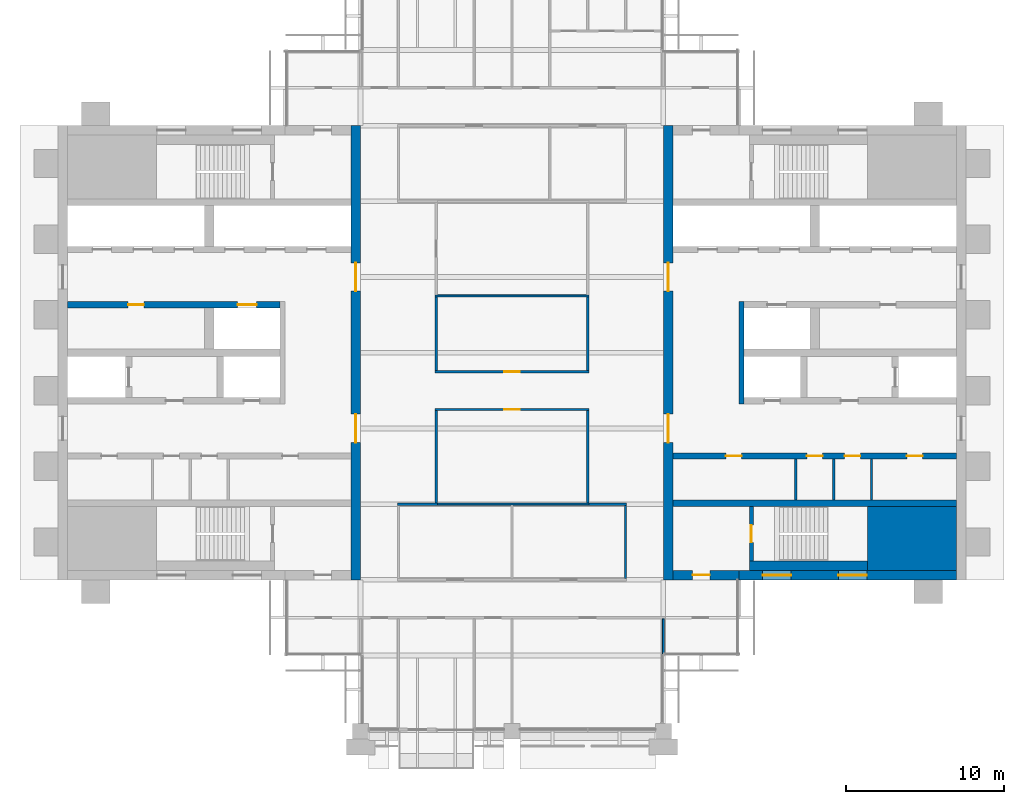
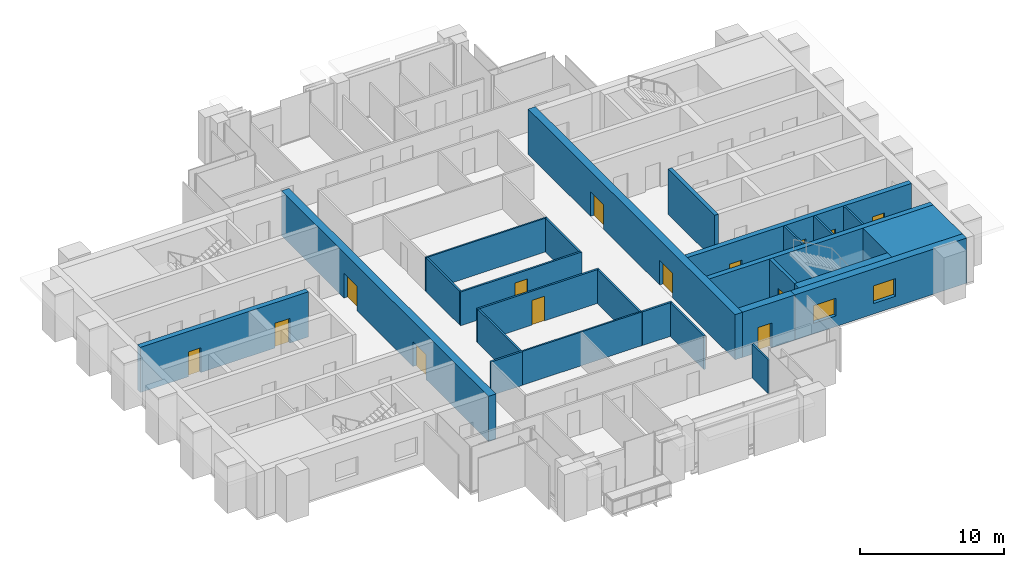
# One storey, part 9 of 13: 26 walls, 14 doors, 2 windows, 16 openings.
"""IFC4 building model written with IfcOpenShell, lengths in metres."""

from ifc_helpers import new_model, si_unit, direction, frame, frame_2d, origin, place, context, subcontext, project, spatial, rectangle, extrude, material, layer, layer_set, type_object, element, fill, save


model = new_model("IFC4")

# Units and contexts
model_context = context("Model", 3, precision=1e-05, world=origin(), true_north=direction((0.0, 1.0)))
body_context = subcontext(model_context, "Body", "Model", "MODEL_VIEW")
ifc_project = project(units=[si_unit("LENGTHUNIT", "METRE"), si_unit("AREAUNIT", "SQUARE_METRE"), si_unit("VOLUMEUNIT", "CUBIC_METRE"), si_unit("PLANEANGLEUNIT", "RADIAN"), si_unit("MASSUNIT", "GRAM", prefix="KILO")], contexts=[model_context])

# Site, building, storey
site_placement = place(None, origin())
site = spatial("IfcSite", under=ifc_project, at=site_placement, CompositionType="ELEMENT")
building_placement = place(site_placement, origin())
building = spatial("IfcBuilding", under=site, at=building_placement, Name="Baori Bourse Tower", CompositionType="ELEMENT")
storey_placement = place(building_placement, frame((0.0, 0.0, 314.300048828125)))
storey = spatial("IfcBuildingStorey", under=building, at=storey_placement, Name="L69", CompositionType="ELEMENT", Elevation=314.300048828125)

# Walls
ifc_material_1 = material(Name="Concrete f'c 40 MPa", Category="concrete")
wall_type_1 = type_object("IfcWallType", Name="Core corner block f'c 40", PredefinedType="SHEAR", material=ifc_material_1)
wall_1_placement = place(storey_placement, frame((51.35009765625, 12.22509765625, 0.0), z_axis=(0.0, 0.0, 1.0), x_axis=(1.0, 0.0, 0.0)))
element("IfcWall", 1, at=wall_1_placement, inside=storey, type_object=wall_type_1, Name="Core wall E05", PredefinedType="SHEAR", context=body_context, shape_type="SweptSolid", body=[
    extrude(rectangle(XDim=5.64990234375, YDim=4.050048828125, at=frame_2d((2.824951171875, 0.0))), origin(), (0.0, 0.0, 1.0), 3.83984375),
])
ifc_material_2 = material(Name="Blockwork partition", Category="masonry")
ifc_layer_1 = layer(ifc_material_2, 0.14990234375)
ifc_layer_set_1 = layer_set([ifc_layer_1], Name="Core partition 150")
wall_type_2 = type_object("IfcWallType", Name="Core partition 150", PredefinedType="PARTITIONING", material=ifc_layer_set_1)
for number, where, z_axis, x_axis, name in (
    (2, (51.60009765625, 14.64990234375, 0.0), (0.0, 0.0, 1.0), (0.0, 1.0, 0.0), "Partition wall E09"),
    (3, (49.199951171875, 14.64990234375, 0.0), (0.0, 0.0, 1.0), (0.0, 1.0, 0.0), "Partition wall E10"),
    (4, (46.800048828125, 14.64990234375, 0.0), (0.0, 0.0, 1.0), (0.0, 1.0, 0.0), "Partition wall E11"),
):
    element("IfcWall", number, at=place(storey_placement, frame(where, z_axis=z_axis, x_axis=x_axis)), inside=storey, type_object=wall_type_2, Name=name, PredefinedType="PARTITIONING", context=body_context, shape_type="SweptSolid", body=[
        extrude(rectangle(XDim=2.60009765625, YDim=0.14990234375, at=frame_2d((1.300048828125, 0.0))), origin(), (0.0, 0.0, 1.0), 3.83984375),
    ])

# Wall, openings, doors
ifc_material_3 = material(Name="Concrete f'c 40 MPa", Category="concrete")
ifc_layer_2 = layer(ifc_material_3, 0.60009765625)
ifc_layer_set_2 = layer_set([ifc_layer_2], Name="Core wall 600 f'c 40")
wall_type_3 = type_object("IfcWallType", Name="Core wall 600 f'c 40", PredefinedType="SHEAR", material=ifc_layer_set_2)
wall_2_placement = place(storey_placement, frame((18.89990234375, 38.39990234375, 0.0), z_axis=(0.0, 0.0, 1.0), x_axis=(0.0, -1.0, 0.0)))
wall_2 = element("IfcWall", 5, at=wall_2_placement, inside=storey, type_object=wall_type_3, Name="Core wall W04", PredefinedType="SHEAR", context=body_context, shape_type="SweptSolid", body=[
    extrude(rectangle(XDim=28.7998046875, YDim=0.60009765625, at=frame_2d((14.39990234375, 0.0))), origin(), (0.0, 0.0, 1.0), 3.83984375),
])
opening_1_placement = place(wall_2_placement, frame((18.300048828125, 0.0, 0.0)))
opening_1 = element("IfcOpeningElement", 6, at=opening_1_placement, cuts=wall_2, Name="Opening L69-D107", PredefinedType="OPENING", context=body_context, shape_type="SweptSolid", body=[
    extrude(rectangle(XDim=1.800048828125, YDim=2.10009765625, at=frame_2d((0.89990234375, 1.050048828125))), frame((0.0, 0.31005859375, 0.0), z_axis=(0.0, -1.0, 0.0), x_axis=(1.0, 0.0, 0.0)), (0.0, 0.0, 1.0), 0.6201171875),
])
opening_2_placement = place(wall_2_placement, frame((8.699951171875, 0.0, 0.0)))
opening_2 = element("IfcOpeningElement", 7, at=opening_2_placement, cuts=wall_2, Name="Opening L69-D108", PredefinedType="OPENING", context=body_context, shape_type="SweptSolid", body=[
    extrude(rectangle(XDim=1.800048828125, YDim=2.10009765625, at=frame_2d((0.89990234375, 1.050048828125))), frame((0.0, 0.31005859375, 0.0), z_axis=(0.0, -1.0, 0.0), x_axis=(1.0, 0.0, 0.0)), (0.0, 0.0, 1.0), 0.6201171875),
])
ifc_material_4 = material(Name="Painted steel door", Category="steel")
door_type_1 = type_object("IfcDoorType", Name="Core lobby door 1800", OperationType="DOUBLE_DOOR_SINGLE_SWING", PredefinedType="DOOR", material=ifc_material_4)
door_1_placement = place(opening_1_placement, origin())
door_1 = element("IfcDoor", 8, at=door_1_placement, inside=storey, type_object=door_type_1, Name="Lobby door W L69", OperationType="DOUBLE_DOOR_SINGLE_SWING", OverallHeight=2.10009765625, OverallWidth=1.800048828125, PredefinedType="DOOR", context=body_context, shape_type="SweptSolid", body=[
    extrude(rectangle(XDim=1.800048828125, YDim=2.10009765625, at=frame_2d((0.89990234375, 1.050048828125))), frame((0.0, 0.02490234375, 0.0), z_axis=(0.0, -1.0, 0.0), x_axis=(1.0, 0.0, 0.0)), (0.0, 0.0, 1.0), 0.050048828125),
])
fill(opening_1, door_1)
door_2_placement = place(opening_2_placement, origin())
door_2 = element("IfcDoor", 9, at=door_2_placement, inside=storey, type_object=door_type_1, Name="Lobby door W L69", OperationType="DOUBLE_DOOR_SINGLE_SWING", OverallHeight=2.10009765625, OverallWidth=1.800048828125, PredefinedType="DOOR", context=body_context, shape_type="SweptSolid", body=[
    extrude(rectangle(XDim=1.800048828125, YDim=2.10009765625, at=frame_2d((0.89990234375, 1.050048828125))), frame((0.0, 0.02490234375, 0.0), z_axis=(0.0, -1.0, 0.0), x_axis=(1.0, 0.0, 0.0)), (0.0, 0.0, 1.0), 0.050048828125),
])
fill(opening_2, door_2)

# Wall, openings, windows
wall_3_placement = place(storey_placement, frame((57.0, 9.89990234375, 0.0), z_axis=(0.0, 0.0, 1.0), x_axis=(-1.0, 0.0, 0.0)))
wall_3 = element("IfcWall", 10, at=wall_3_placement, inside=storey, type_object=wall_type_3, Name="Core wall E02", PredefinedType="SHEAR", context=body_context, shape_type="SweptSolid", body=[
    extrude(rectangle(XDim=13.800048828125, YDim=0.60009765625, at=frame_2d((6.89990234375, 0.0))), origin(), (0.0, 0.0, 1.0), 3.83984375),
])
opening_3_placement = place(wall_3_placement, frame((5.699951171875, 0.0, 0.89990234375)))
opening_3 = element("IfcOpeningElement", 11, at=opening_3_placement, cuts=wall_3, Name="Opening L69-KW203", PredefinedType="OPENING", context=body_context, shape_type="SweptSolid", body=[
    extrude(rectangle(XDim=1.800048828125, YDim=1.5, at=frame_2d((0.89990234375, 0.75))), frame((0.0, 0.31005859375, 0.0), z_axis=(0.0, -1.0, 0.0), x_axis=(1.0, 0.0, 0.0)), (0.0, 0.0, 1.0), 0.6201171875),
])
opening_4_placement = place(wall_3_placement, frame((10.5, 0.0, 0.89990234375)))
opening_4 = element("IfcOpeningElement", 12, at=opening_4_placement, cuts=wall_3, Name="Opening L69-KW204", PredefinedType="OPENING", context=body_context, shape_type="SweptSolid", body=[
    extrude(rectangle(XDim=1.800048828125, YDim=1.5, at=frame_2d((0.89990234375, 0.75))), frame((0.0, 0.31005859375, 0.0), z_axis=(0.0, -1.0, 0.0), x_axis=(1.0, 0.0, 0.0)), (0.0, 0.0, 1.0), 0.6201171875),
])
ifc_material_5 = material(Name="Pale anodised aluminium", Category="aluminium")
window_type = type_object("IfcWindowType", Name="Stair window 1800 x 1500", PartitioningType="SINGLE_PANEL", PredefinedType="WINDOW", material=ifc_material_5)
window_1_placement = place(opening_3_placement, origin())
window_1 = element("IfcWindow", 13, at=window_1_placement, inside=storey, type_object=window_type, Name="Stair window E L69 3", OverallHeight=1.5, OverallWidth=1.800048828125, PartitioningType="SINGLE_PANEL", PredefinedType="WINDOW", context=body_context, shape_type="SweptSolid", body=[
    extrude(rectangle(XDim=1.800048828125, YDim=1.5, at=frame_2d((0.89990234375, 0.75))), frame((0.0, 0.030029296875, 0.0), z_axis=(0.0, -1.0, 0.0), x_axis=(1.0, 0.0, 0.0)), (0.0, 0.0, 1.0), 0.06005859375),
])
fill(opening_3, window_1)
window_2_placement = place(opening_4_placement, origin())
window_2 = element("IfcWindow", 14, at=window_2_placement, inside=storey, type_object=window_type, Name="Stair window E L69 4", OverallHeight=1.5, OverallWidth=1.800048828125, PartitioningType="SINGLE_PANEL", PredefinedType="WINDOW", context=body_context, shape_type="SweptSolid", body=[
    extrude(rectangle(XDim=1.800048828125, YDim=1.5, at=frame_2d((0.89990234375, 0.75))), frame((0.0, 0.030029296875, 0.0), z_axis=(0.0, -1.0, 0.0), x_axis=(1.0, 0.0, 0.0)), (0.0, 0.0, 1.0), 0.06005859375),
])
fill(opening_4, window_2)

# Wall, opening, door
wall_4_placement = place(storey_placement, frame((43.199951171875, 9.89990234375, 0.0), z_axis=(0.0, 0.0, 1.0), x_axis=(-1.0, 0.0, 0.0)))
wall_4 = element("IfcWall", 15, at=wall_4_placement, inside=storey, type_object=wall_type_3, Name="Core wall E03", PredefinedType="SHEAR", context=body_context, shape_type="SweptSolid", body=[
    extrude(rectangle(XDim=4.199951171875, YDim=0.60009765625, at=frame_2d((2.10009765625, 0.0))), origin(), (0.0, 0.0, 1.0), 3.83984375),
])
opening_5_placement = place(wall_4_placement, frame((1.85009765625, 0.0, 0.0)))
opening_5 = element("IfcOpeningElement", 16, at=opening_5_placement, cuts=wall_4, Name="Opening L69-D202", PredefinedType="OPENING", context=body_context, shape_type="SweptSolid", body=[
    extrude(rectangle(XDim=1.10009765625, YDim=2.10009765625, at=frame_2d((0.550048828125, 1.050048828125))), frame((0.0, 0.31005859375, 0.0), z_axis=(0.0, -1.0, 0.0), x_axis=(1.0, 0.0, 0.0)), (0.0, 0.0, 1.0), 0.6201171875),
])
ifc_material_6 = material(Name="Painted steel door", Category="steel")
door_type_2 = type_object("IfcDoorType", Name="Stair door 1100", OperationType="SINGLE_SWING_LEFT", PredefinedType="DOOR", material=ifc_material_6)
door_3_placement = place(opening_5_placement, origin())
door_3 = element("IfcDoor", 17, at=door_3_placement, inside=storey, type_object=door_type_2, Name="Stair vestibule door A E L69", OperationType="SINGLE_SWING_LEFT", OverallHeight=2.10009765625, OverallWidth=1.10009765625, PredefinedType="DOOR", context=body_context, shape_type="SweptSolid", body=[
    extrude(rectangle(XDim=1.10009765625, YDim=2.10009765625, at=frame_2d((0.550048828125, 1.050048828125))), frame((0.0, 0.02490234375, 0.0), z_axis=(0.0, -1.0, 0.0), x_axis=(1.0, 0.0, 0.0)), (0.0, 0.0, 1.0), 0.050048828125),
])
fill(opening_5, door_3)

# Wall, openings, doors
wall_5_placement = place(storey_placement, frame((38.699951171875, 9.60009765625, 0.0), z_axis=(0.0, 0.0, 1.0), x_axis=(0.0, 1.0, 0.0)))
wall_5 = element("IfcWall", 18, at=wall_5_placement, inside=storey, type_object=wall_type_3, Name="Core wall E04", PredefinedType="SHEAR", context=body_context, shape_type="SweptSolid", body=[
    extrude(rectangle(XDim=28.7998046875, YDim=0.60009765625, at=frame_2d((14.39990234375, 0.0))), origin(), (0.0, 0.0, 1.0), 3.83984375),
])
opening_6_placement = place(wall_5_placement, frame((8.699951171875, 0.0, 0.0)))
opening_6 = element("IfcOpeningElement", 19, at=opening_6_placement, cuts=wall_5, Name="Opening L69-D207", PredefinedType="OPENING", context=body_context, shape_type="SweptSolid", body=[
    extrude(rectangle(XDim=1.800048828125, YDim=2.10009765625, at=frame_2d((0.89990234375, 1.050048828125))), frame((0.0, 0.31005859375, 0.0), z_axis=(0.0, -1.0, 0.0), x_axis=(1.0, 0.0, 0.0)), (0.0, 0.0, 1.0), 0.6201171875),
])
opening_7_placement = place(wall_5_placement, frame((18.300048828125, 0.0, 0.0)))
opening_7 = element("IfcOpeningElement", 20, at=opening_7_placement, cuts=wall_5, Name="Opening L69-D208", PredefinedType="OPENING", context=body_context, shape_type="SweptSolid", body=[
    extrude(rectangle(XDim=1.800048828125, YDim=2.10009765625, at=frame_2d((0.89990234375, 1.050048828125))), frame((0.0, 0.31005859375, 0.0), z_axis=(0.0, -1.0, 0.0), x_axis=(1.0, 0.0, 0.0)), (0.0, 0.0, 1.0), 0.6201171875),
])
door_4_placement = place(opening_6_placement, origin())
door_4 = element("IfcDoor", 21, at=door_4_placement, inside=storey, type_object=door_type_1, Name="Lobby door E L69", OperationType="DOUBLE_DOOR_SINGLE_SWING", OverallHeight=2.10009765625, OverallWidth=1.800048828125, PredefinedType="DOOR", context=body_context, shape_type="SweptSolid", body=[
    extrude(rectangle(XDim=1.800048828125, YDim=2.10009765625, at=frame_2d((0.89990234375, 1.050048828125))), frame((0.0, 0.02490234375, 0.0), z_axis=(0.0, -1.0, 0.0), x_axis=(1.0, 0.0, 0.0)), (0.0, 0.0, 1.0), 0.050048828125),
])
fill(opening_6, door_4)
door_5_placement = place(opening_7_placement, origin())
door_5 = element("IfcDoor", 22, at=door_5_placement, inside=storey, type_object=door_type_1, Name="Lobby door E L69", OperationType="DOUBLE_DOOR_SINGLE_SWING", OverallHeight=2.10009765625, OverallWidth=1.800048828125, PredefinedType="DOOR", context=body_context, shape_type="SweptSolid", body=[
    extrude(rectangle(XDim=1.800048828125, YDim=2.10009765625, at=frame_2d((0.89990234375, 1.050048828125))), frame((0.0, 0.02490234375, 0.0), z_axis=(0.0, -1.0, 0.0), x_axis=(1.0, 0.0, 0.0)), (0.0, 0.0, 1.0), 0.050048828125),
])
fill(opening_7, door_5)

# Walls
ifc_material_7 = material(Name="Gypsum board partition")
ifc_layer_3 = layer(ifc_material_7, 0.14990234375)
ifc_layer_set_3 = layer_set([ifc_layer_3], Name="Corridor partition 150")
wall_type_4 = type_object("IfcWallType", Name="Corridor partition 150", PredefinedType="PARTITIONING", material=ifc_layer_set_3)
wall_6_placement = place(storey_placement, frame((21.52490234375, 14.39990234375, 0.0), z_axis=(0.0, 0.0, 1.0), x_axis=(1.0, 0.0, 0.0)))
element("IfcWall", 23, at=wall_6_placement, inside=storey, type_object=wall_type_4, Name="Partition", PredefinedType="PARTITIONING", context=body_context, shape_type="SweptSolid", body=[
    extrude(rectangle(XDim=2.550048828125, YDim=0.14990234375, at=frame_2d((1.27490234375, 0.0))), origin(), (0.0, 0.0, 1.0), 2.86962890625),
])
wall_7_placement = place(storey_placement, frame((33.675048828125, 14.39990234375, 0.0), z_axis=(0.0, 0.0, 1.0), x_axis=(1.0, 0.0, 0.0)))
element("IfcWall", 24, at=wall_7_placement, inside=storey, type_object=wall_type_4, Name="Partition", PredefinedType="PARTITIONING", context=body_context, shape_type="SweptSolid", body=[
    extrude(rectangle(XDim=2.39990234375, YDim=0.14990234375, at=frame_2d((1.199951171875, 0.0))), origin(), (0.0, 0.0, 1.0), 2.86962890625),
])

# Wall, opening, door
wall_8_placement = place(storey_placement, frame((23.925048828125, 20.39990234375, 0.0), z_axis=(0.0, 0.0, 1.0), x_axis=(1.0, 0.0, 0.0)))
wall_8 = element("IfcWall", 25, at=wall_8_placement, inside=storey, type_object=wall_type_4, Name="Partition", PredefinedType="PARTITIONING", context=body_context, shape_type="SweptSolid", body=[
    extrude(rectangle(XDim=9.75, YDim=0.14990234375, at=frame_2d((4.875, 0.0))), origin(), (0.0, 0.0, 1.0), 2.86962890625),
])
opening_8_placement = place(wall_8_placement, frame((4.375, 0.0, 0.0)))
opening_8 = element("IfcOpeningElement", 26, at=opening_8_placement, cuts=wall_8, Name="Opening L69-D09", PredefinedType="OPENING", context=body_context, shape_type="SweptSolid", body=[
    extrude(rectangle(XDim=1.0, YDim=2.10009765625, at=frame_2d((0.5, 1.050048828125))), frame((0.0, 0.0849609375, 0.0), z_axis=(0.0, -1.0, 0.0), x_axis=(1.0, 0.0, 0.0)), (0.0, 0.0, 1.0), 0.169921875),
])
ifc_material_8 = material(Name="Timber door leaf", Category="wood")
door_type_3 = type_object("IfcDoorType", Name="Door 1000 x 2100", OperationType="SINGLE_SWING_LEFT", PredefinedType="DOOR", material=ifc_material_8)
door_6_placement = place(opening_8_placement, origin())
door_6 = element("IfcDoor", 27, at=door_6_placement, inside=storey, type_object=door_type_3, Name="Door", OperationType="SINGLE_SWING_RIGHT", OverallHeight=2.10009765625, OverallWidth=1.0, PredefinedType="DOOR", context=body_context, shape_type="SweptSolid", body=[
    extrude(rectangle(XDim=1.0, YDim=2.10009765625, at=frame_2d((0.5, 1.050048828125))), frame((0.0, 0.02490234375, 0.0), z_axis=(0.0, -1.0, 0.0), x_axis=(1.0, 0.0, 0.0)), (0.0, 0.0, 1.0), 0.050048828125),
])
fill(opening_8, door_6)

wall_9_placement = place(storey_placement, frame((23.925048828125, 22.800048828125, 0.0), z_axis=(0.0, 0.0, 1.0), x_axis=(1.0, 0.0, 0.0)))
wall_9 = element("IfcWall", 28, at=wall_9_placement, inside=storey, type_object=wall_type_4, Name="Partition", PredefinedType="PARTITIONING", context=body_context, shape_type="SweptSolid", body=[
    extrude(rectangle(XDim=9.75, YDim=0.14990234375, at=frame_2d((4.875, 0.0))), origin(), (0.0, 0.0, 1.0), 2.86962890625),
])
opening_9_placement = place(wall_9_placement, frame((4.375, 0.0, 0.0)))
opening_9 = element("IfcOpeningElement", 29, at=opening_9_placement, cuts=wall_9, Name="Opening L69-D10", PredefinedType="OPENING", context=body_context, shape_type="SweptSolid", body=[
    extrude(rectangle(XDim=1.0, YDim=2.10009765625, at=frame_2d((0.5, 1.050048828125))), frame((0.0, 0.0849609375, 0.0), z_axis=(0.0, -1.0, 0.0), x_axis=(1.0, 0.0, 0.0)), (0.0, 0.0, 1.0), 0.169921875),
])
door_7_placement = place(opening_9_placement, origin())
door_7 = element("IfcDoor", 30, at=door_7_placement, inside=storey, type_object=door_type_3, Name="Door", OperationType="SINGLE_SWING_LEFT", OverallHeight=2.10009765625, OverallWidth=1.0, PredefinedType="DOOR", context=body_context, shape_type="SweptSolid", body=[
    extrude(rectangle(XDim=1.0, YDim=2.10009765625, at=frame_2d((0.5, 1.050048828125))), frame((0.0, 0.02490234375, 0.0), z_axis=(0.0, -1.0, 0.0), x_axis=(1.0, 0.0, 0.0)), (0.0, 0.0, 1.0), 0.050048828125),
])
fill(opening_9, door_7)

# Walls
wall_10_placement = place(storey_placement, frame((24.0, 14.47509765625, 0.0), z_axis=(0.0, 0.0, 1.0), x_axis=(0.0, 1.0, 0.0)))
element("IfcWall", 31, at=wall_10_placement, inside=storey, type_object=wall_type_4, Name="Partition", PredefinedType="PARTITIONING", context=body_context, shape_type="SweptSolid", body=[
    extrude(rectangle(XDim=5.849853515625, YDim=0.14990234375, at=frame_2d((2.9248046875, 0.0))), origin(), (0.0, 0.0, 1.0), 2.86962890625),
])
wall_11_placement = place(storey_placement, frame((24.0, 22.875, 0.0), z_axis=(0.0, 0.0, 1.0), x_axis=(0.0, 1.0, 0.0)))
element("IfcWall", 32, at=wall_11_placement, inside=storey, type_object=wall_type_4, Name="Partition", PredefinedType="PARTITIONING", context=body_context, shape_type="SweptSolid", body=[
    extrude(rectangle(XDim=4.66259765625, YDim=0.14990234375, at=frame_2d((2.331298828125, 0.0))), origin(), (0.0, 0.0, 1.0), 2.86962890625),
])
wall_12_placement = place(storey_placement, frame((33.60009765625, 14.47509765625, 0.0), z_axis=(0.0, 0.0, 1.0), x_axis=(0.0, 1.0, 0.0)))
element("IfcWall", 33, at=wall_12_placement, inside=storey, type_object=wall_type_4, Name="Partition", PredefinedType="PARTITIONING", context=body_context, shape_type="SweptSolid", body=[
    extrude(rectangle(XDim=5.849853515625, YDim=0.14990234375, at=frame_2d((2.9248046875, 0.0))), origin(), (0.0, 0.0, 1.0), 2.86962890625),
])
wall_13_placement = place(storey_placement, frame((33.60009765625, 22.875, 0.0), z_axis=(0.0, 0.0, 1.0), x_axis=(0.0, 1.0, 0.0)))
element("IfcWall", 34, at=wall_13_placement, inside=storey, type_object=wall_type_4, Name="Partition", PredefinedType="PARTITIONING", context=body_context, shape_type="SweptSolid", body=[
    extrude(rectangle(XDim=4.66259765625, YDim=0.14990234375, at=frame_2d((2.331298828125, 0.0))), origin(), (0.0, 0.0, 1.0), 2.86962890625),
])
wall_14_placement = place(storey_placement, frame((36.0, 9.675048828125, 0.0), z_axis=(0.0, 0.0, 1.0), x_axis=(0.0, 1.0, 0.0)))
element("IfcWall", 35, at=wall_14_placement, inside=storey, type_object=wall_type_4, Name="Partition", PredefinedType="PARTITIONING", context=body_context, shape_type="SweptSolid", body=[
    extrude(rectangle(XDim=4.64990234375, YDim=0.14990234375, at=frame_2d((2.324951171875, 0.0))), origin(), (0.0, 0.0, 1.0), 2.86962890625),
])
ifc_material_9 = material(Name="Gypsum board partition")
ifc_layer_4 = layer(ifc_material_9, 0.125)
ifc_layer_set_4 = layer_set([ifc_layer_4], Name="Partition 125")
wall_type_5 = type_object("IfcWallType", Name="Partition 125", PredefinedType="PARTITIONING", material=ifc_layer_set_4)
wall_15_placement = place(storey_placement, frame((24.074951171875, 14.39990234375, 0.0), z_axis=(0.0, 0.0, 1.0), x_axis=(1.0, 0.0, 0.0)))
element("IfcWall", 36, at=wall_15_placement, inside=storey, type_object=wall_type_5, Name="Partition", PredefinedType="PARTITIONING", context=body_context, shape_type="SweptSolid", body=[
    extrude(rectangle(XDim=9.60009765625, YDim=0.125, at=frame_2d((4.800048828125, 0.0))), origin(), (0.0, 0.0, 1.0), 2.86962890625),
])
wall_16_placement = place(storey_placement, frame((23.925048828125, 27.60009765625, 0.0), z_axis=(0.0, 0.0, 1.0), x_axis=(1.0, 0.0, 0.0)))
element("IfcWall", 37, at=wall_16_placement, inside=storey, type_object=wall_type_5, Name="Partition", PredefinedType="PARTITIONING", context=body_context, shape_type="SweptSolid", body=[
    extrude(rectangle(XDim=9.75, YDim=0.125, at=frame_2d((4.875, 0.0))), origin(), (0.0, 0.0, 1.0), 2.86962890625),
])
wall_17_placement = place(storey_placement, frame((38.39990234375, 4.89990234375, 0.0), z_axis=(0.0, 0.0, 1.0), x_axis=(0.0, 1.0, 0.0)))
element("IfcWall", 38, at=wall_17_placement, inside=storey, type_object=wall_type_5, Name="Partition", PredefinedType="PARTITIONING", context=body_context, shape_type="SweptSolid", body=[
    extrude(rectangle(XDim=2.22509765625, YDim=0.125, at=frame_2d((1.112548828125, 0.0))), origin(), (0.0, 0.0, 1.0), 2.86962890625),
])

# Wall, opening, door
ifc_material_10 = material(Name="Concrete f'c 40 MPa", Category="concrete")
ifc_layer_5 = layer(ifc_material_10, 0.25)
ifc_layer_set_5 = layer_set([ifc_layer_5], Name="Shaft wall 250 f'c 40")
wall_type_6 = type_object("IfcWallType", Name="Shaft wall 250 f'c 40", PredefinedType="SHEAR", material=ifc_layer_set_5)
wall_18_placement = place(storey_placement, frame((43.97509765625, 10.800048828125, 0.0), z_axis=(0.0, 0.0, 1.0), x_axis=(0.0, 1.0, 0.0)))
wall_18 = element("IfcWall", 39, at=wall_18_placement, inside=storey, type_object=wall_type_6, Name="Core wall E07", PredefinedType="SHEAR", context=body_context, shape_type="SweptSolid", body=[
    extrude(rectangle(XDim=3.449951171875, YDim=0.25, at=frame_2d((1.72509765625, 0.0))), origin(), (0.0, 0.0, 1.0), 3.83984375),
])
opening_10_placement = place(wall_18_placement, frame((1.175048828125, 0.0, 0.0)))
opening_10 = element("IfcOpeningElement", 40, at=opening_10_placement, cuts=wall_18, Name="Opening L69-D201", PredefinedType="OPENING", context=body_context, shape_type="SweptSolid", body=[
    extrude(rectangle(XDim=1.10009765625, YDim=2.10009765625, at=frame_2d((0.550048828125, 1.050048828125))), frame((0.0, 0.135009765625, 0.0), z_axis=(0.0, -1.0, 0.0), x_axis=(1.0, 0.0, 0.0)), (0.0, 0.0, 1.0), 0.27001953125),
])
door_8_placement = place(opening_10_placement, origin())
door_8 = element("IfcDoor", 41, at=door_8_placement, inside=storey, type_object=door_type_2, Name="Stair door A E L69", OperationType="SINGLE_SWING_LEFT", OverallHeight=2.10009765625, OverallWidth=1.10009765625, PredefinedType="DOOR", context=body_context, shape_type="SweptSolid", body=[
    extrude(rectangle(XDim=1.10009765625, YDim=2.10009765625, at=frame_2d((0.550048828125, 1.050048828125))), frame((0.0, 0.02490234375, 0.0), z_axis=(0.0, -1.0, 0.0), x_axis=(1.0, 0.0, 0.0)), (0.0, 0.0, 1.0), 0.050048828125),
])
fill(opening_10, door_8)

# Wall
ifc_material_11 = material(Name="Concrete f'c 40 MPa", Category="concrete")
ifc_layer_6 = layer(ifc_material_11, 0.300048828125)
ifc_layer_set_6 = layer_set([ifc_layer_6], Name="Shaft wall 300 f'c 40")
wall_type_7 = type_object("IfcWallType", Name="Shaft wall 300 f'c 40", PredefinedType="SHEAR", material=ifc_layer_set_6)
wall_19_placement = place(storey_placement, frame((43.35009765625, 20.75, 0.0), z_axis=(0.0, 0.0, 1.0), x_axis=(0.0, 1.0, 0.0)))
element("IfcWall", 42, at=wall_19_placement, inside=storey, type_object=wall_type_7, Name="Core wall E14", PredefinedType="SHEAR", context=body_context, shape_type="SweptSolid", body=[
    extrude(rectangle(XDim=6.5, YDim=0.300048828125, at=frame_2d((3.25, 0.0))), origin(), (0.0, 0.0, 1.0), 3.83984375),
])

# Wall, openings, doors
ifc_material_12 = material(Name="Concrete f'c 40 MPa", Category="concrete")
ifc_layer_7 = layer(ifc_material_12, 0.39990234375)
ifc_layer_set_7 = layer_set([ifc_layer_7], Name="Shaft wall 400 f'c 40")
wall_type_8 = type_object("IfcWallType", Name="Shaft wall 400 f'c 40", PredefinedType="SHEAR", material=ifc_layer_set_7)
wall_20_placement = place(storey_placement, frame((0.60009765625, 27.050048828125, 0.0), z_axis=(0.0, 0.0, 1.0), x_axis=(1.0, 0.0, 0.0)))
wall_20 = element("IfcWall", 43, at=wall_20_placement, inside=storey, type_object=wall_type_8, Name="Core wall W19", PredefinedType="SHEAR", context=body_context, shape_type="SweptSolid", body=[
    extrude(rectangle(XDim=13.5, YDim=0.39990234375, at=frame_2d((6.75, 0.0))), origin(), (0.0, 0.0, 1.0), 3.83984375),
])
opening_11_placement = place(wall_20_placement, frame((3.85009765625, 0.0, 0.0)))
opening_11 = element("IfcOpeningElement", 44, at=opening_11_placement, cuts=wall_20, Name="Opening L69-D113", PredefinedType="OPENING", context=body_context, shape_type="SweptSolid", body=[
    extrude(rectangle(XDim=1.0, YDim=2.10009765625, at=frame_2d((0.5, 1.050048828125))), frame((0.0, 0.2099609375, 0.0), z_axis=(0.0, -1.0, 0.0), x_axis=(1.0, 0.0, 0.0)), (0.0, 0.0, 1.0), 0.419921875),
])
opening_12_placement = place(wall_20_placement, frame((10.800048828125, 0.0, 0.0)))
opening_12 = element("IfcOpeningElement", 45, at=opening_12_placement, cuts=wall_20, Name="Opening L69-D120", PredefinedType="OPENING", context=body_context, shape_type="SweptSolid", body=[
    extrude(rectangle(XDim=1.199951171875, YDim=2.10009765625, at=frame_2d((0.60009765625, 1.050048828125))), frame((0.0, 0.2099609375, 0.0), z_axis=(0.0, -1.0, 0.0), x_axis=(1.0, 0.0, 0.0)), (0.0, 0.0, 1.0), 0.419921875),
])
ifc_material_13 = material(Name="Painted steel door", Category="steel")
door_type_4 = type_object("IfcDoorType", Name="Core door 1000", OperationType="SINGLE_SWING_LEFT", PredefinedType="DOOR", material=ifc_material_13)
door_9_placement = place(opening_11_placement, origin())
door_9 = element("IfcDoor", 46, at=door_9_placement, inside=storey, type_object=door_type_4, Name="Store Room door W L69", OperationType="SINGLE_SWING_LEFT", OverallHeight=2.10009765625, OverallWidth=1.0, PredefinedType="DOOR", context=body_context, shape_type="SweptSolid", body=[
    extrude(rectangle(XDim=1.0, YDim=2.10009765625, at=frame_2d((0.5, 1.050048828125))), frame((0.0, 0.02490234375, 0.0), z_axis=(0.0, -1.0, 0.0), x_axis=(1.0, 0.0, 0.0)), (0.0, 0.0, 1.0), 0.050048828125),
])
fill(opening_11, door_9)
ifc_material_14 = material(Name="Stainless steel door", Category="steel")
door_type_5 = type_object("IfcDoorType", Name="Lift landing door", OperationType="DOUBLE_DOOR_SLIDING", PredefinedType="DOOR", material=ifc_material_14)
door_10_placement = place(opening_12_placement, origin())
door_10 = element("IfcDoor", 47, at=door_10_placement, inside=storey, type_object=door_type_5, Name="Lift landing door SV1 W L69", OperationType="DOUBLE_DOOR_SLIDING", OverallHeight=2.10009765625, OverallWidth=1.199951171875, PredefinedType="DOOR", context=body_context, shape_type="SweptSolid", body=[
    extrude(rectangle(XDim=1.199951171875, YDim=2.10009765625, at=frame_2d((0.60009765625, 1.050048828125))), frame((0.0, 0.02490234375, 0.0), z_axis=(0.0, -1.0, 0.0), x_axis=(1.0, 0.0, 0.0)), (0.0, 0.0, 1.0), 0.050048828125),
])
fill(opening_12, door_10)

# Wall
wall_21_placement = place(storey_placement, frame((39.0, 14.449951171875, 0.0), z_axis=(0.0, 0.0, 1.0), x_axis=(1.0, 0.0, 0.0)))
element("IfcWall", 48, at=wall_21_placement, inside=storey, type_object=wall_type_8, Name="Core wall E08", PredefinedType="SHEAR", context=body_context, shape_type="SweptSolid", body=[
    extrude(rectangle(XDim=18.0, YDim=0.39990234375, at=frame_2d((9.0, 0.0))), origin(), (0.0, 0.0, 1.0), 3.83984375),
])

# Wall, openings, doors
wall_22_placement = place(storey_placement, frame((39.0, 17.449951171875, 0.0), z_axis=(0.0, 0.0, 1.0), x_axis=(1.0, 0.0, 0.0)))
wall_22 = element("IfcWall", 49, at=wall_22_placement, inside=storey, type_object=wall_type_8, Name="Core wall E12", PredefinedType="SHEAR", context=body_context, shape_type="SweptSolid", body=[
    extrude(rectangle(XDim=18.0, YDim=0.39990234375, at=frame_2d((9.0, 0.0))), origin(), (0.0, 0.0, 1.0), 3.83984375),
])
opening_13_placement = place(wall_22_placement, frame((14.83740234375, 0.0, 0.0)))
opening_13 = element("IfcOpeningElement", 50, at=opening_13_placement, cuts=wall_22, Name="Opening L69-D209", PredefinedType="OPENING", context=body_context, shape_type="SweptSolid", body=[
    extrude(rectangle(XDim=1.0, YDim=2.10009765625, at=frame_2d((0.5, 1.050048828125))), frame((0.0, 0.2099609375, 0.0), z_axis=(0.0, -1.0, 0.0), x_axis=(1.0, 0.0, 0.0)), (0.0, 0.0, 1.0), 0.419921875),
])
opening_14_placement = place(wall_22_placement, frame((10.89990234375, 0.0, 0.0)))
opening_14 = element("IfcOpeningElement", 51, at=opening_14_placement, cuts=wall_22, Name="Opening L69-D210", PredefinedType="OPENING", context=body_context, shape_type="SweptSolid", body=[
    extrude(rectangle(XDim=1.0, YDim=2.10009765625, at=frame_2d((0.5, 1.050048828125))), frame((0.0, 0.2099609375, 0.0), z_axis=(0.0, -1.0, 0.0), x_axis=(1.0, 0.0, 0.0)), (0.0, 0.0, 1.0), 0.419921875),
])
opening_15_placement = place(wall_22_placement, frame((8.5, 0.0, 0.0)))
opening_15 = element("IfcOpeningElement", 52, at=opening_15_placement, cuts=wall_22, Name="Opening L69-D211", PredefinedType="OPENING", context=body_context, shape_type="SweptSolid", body=[
    extrude(rectangle(XDim=1.0, YDim=2.10009765625, at=frame_2d((0.5, 1.050048828125))), frame((0.0, 0.2099609375, 0.0), z_axis=(0.0, -1.0, 0.0), x_axis=(1.0, 0.0, 0.0)), (0.0, 0.0, 1.0), 0.419921875),
])
opening_16_placement = place(wall_22_placement, frame((3.362548828125, 0.0, 0.0)))
opening_16 = element("IfcOpeningElement", 53, at=opening_16_placement, cuts=wall_22, Name="Opening L69-D212", PredefinedType="OPENING", context=body_context, shape_type="SweptSolid", body=[
    extrude(rectangle(XDim=1.0, YDim=2.10009765625, at=frame_2d((0.5, 1.050048828125))), frame((0.0, 0.2099609375, 0.0), z_axis=(0.0, -1.0, 0.0), x_axis=(1.0, 0.0, 0.0)), (0.0, 0.0, 1.0), 0.419921875),
])
door_11_placement = place(opening_13_placement, origin())
door_11 = element("IfcDoor", 54, at=door_11_placement, inside=storey, type_object=door_type_4, Name="Women'S Wc door E L69", OperationType="SINGLE_SWING_LEFT", OverallHeight=2.10009765625, OverallWidth=1.0, PredefinedType="DOOR", context=body_context, shape_type="SweptSolid", body=[
    extrude(rectangle(XDim=1.0, YDim=2.10009765625, at=frame_2d((0.5, 1.050048828125))), frame((0.0, 0.02490234375, 0.0), z_axis=(0.0, -1.0, 0.0), x_axis=(1.0, 0.0, 0.0)), (0.0, 0.0, 1.0), 0.050048828125),
])
fill(opening_13, door_11)
door_12_placement = place(opening_14_placement, origin())
door_12 = element("IfcDoor", 55, at=door_12_placement, inside=storey, type_object=door_type_4, Name="Accessible Wc door E L69", OperationType="SINGLE_SWING_LEFT", OverallHeight=2.10009765625, OverallWidth=1.0, PredefinedType="DOOR", context=body_context, shape_type="SweptSolid", body=[
    extrude(rectangle(XDim=1.0, YDim=2.10009765625, at=frame_2d((0.5, 1.050048828125))), frame((0.0, 0.02490234375, 0.0), z_axis=(0.0, -1.0, 0.0), x_axis=(1.0, 0.0, 0.0)), (0.0, 0.0, 1.0), 0.050048828125),
])
fill(opening_14, door_12)
door_13_placement = place(opening_16_placement, origin())
door_13 = element("IfcDoor", 56, at=door_13_placement, inside=storey, type_object=door_type_4, Name="Men'S Wc door E L69", OperationType="SINGLE_SWING_LEFT", OverallHeight=2.10009765625, OverallWidth=1.0, PredefinedType="DOOR", context=body_context, shape_type="SweptSolid", body=[
    extrude(rectangle(XDim=1.0, YDim=2.10009765625, at=frame_2d((0.5, 1.050048828125))), frame((0.0, 0.02490234375, 0.0), z_axis=(0.0, -1.0, 0.0), x_axis=(1.0, 0.0, 0.0)), (0.0, 0.0, 1.0), 0.050048828125),
])
fill(opening_16, door_13)
ifc_material_15 = material(Name="Painted steel door", Category="steel")
door_type_6 = type_object("IfcDoorType", Name="Plant room door 1000", OperationType="SINGLE_SWING_LEFT", PredefinedType="DOOR", material=ifc_material_15)
door_14_placement = place(opening_15_placement, origin())
door_14 = element("IfcDoor", 57, at=door_14_placement, inside=storey, type_object=door_type_6, Name="Plumbing Equipment Room door E L69", OperationType="SINGLE_SWING_LEFT", OverallHeight=2.10009765625, OverallWidth=1.0, PredefinedType="DOOR", context=body_context, shape_type="SweptSolid", body=[
    extrude(rectangle(XDim=1.0, YDim=2.10009765625, at=frame_2d((0.5, 1.050048828125))), frame((0.0, 0.02490234375, 0.0), z_axis=(0.0, -1.0, 0.0), x_axis=(1.0, 0.0, 0.0)), (0.0, 0.0, 1.0), 0.050048828125),
])
fill(opening_15, door_14)

# Wall
ifc_material_16 = material(Name="Concrete f'c 40 MPa", Category="concrete")
ifc_layer_8 = layer(ifc_material_16, 0.60009765625)
ifc_layer_set_8 = layer_set([ifc_layer_8], Name="Shaft wall 600 f'c 40")
wall_type_9 = type_object("IfcWallType", Name="Shaft wall 600 f'c 40", PredefinedType="SHEAR", material=ifc_layer_set_8)
wall_23_placement = place(storey_placement, frame((43.85009765625, 10.5, 0.0), z_axis=(0.0, 0.0, 1.0), x_axis=(1.0, 0.0, 0.0)))
element("IfcWall", 58, at=wall_23_placement, inside=storey, type_object=wall_type_9, Name="Core wall E06", PredefinedType="SHEAR", context=body_context, shape_type="SweptSolid", body=[
    extrude(rectangle(XDim=7.5, YDim=0.60009765625, at=frame_2d((3.75, 0.0))), origin(), (0.0, 0.0, 1.0), 3.83984375),
])

save(model, "model.ifc")
